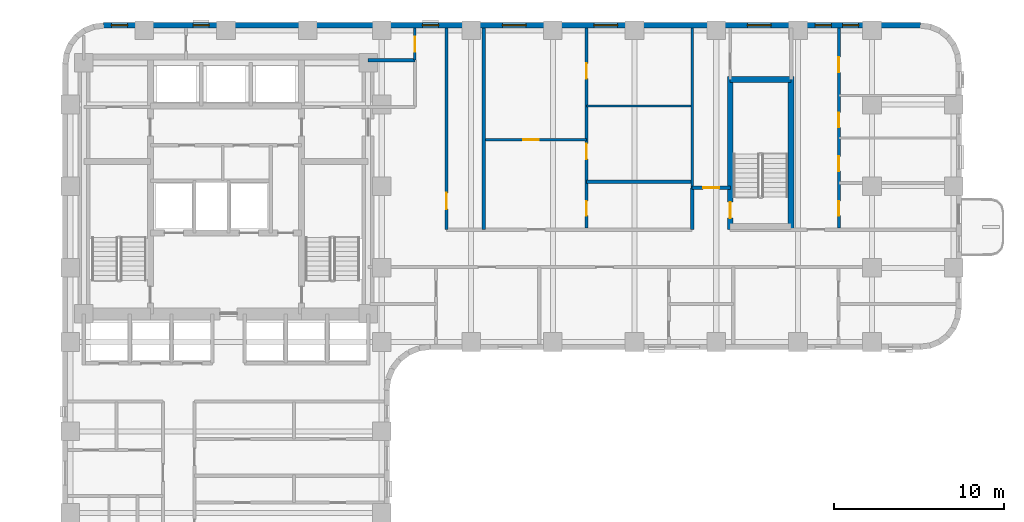
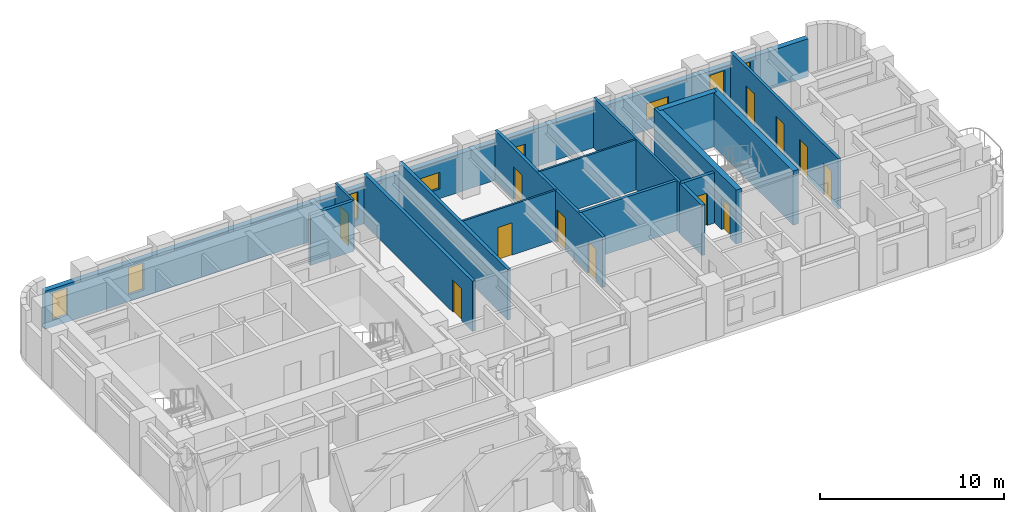
# One storey, part 7 of 12: 16 walls, 12 doors, 8 windows, 20 openings.
"""IFC4 building model written with IfcOpenShell, lengths in metres."""

import ifcopenshell
import ifcopenshell.guid

model = None  # the IFC model being written
_history = None  # IfcOwnerHistory: only IFC2X3 demands one
_inside = {}  # id of a spatial element -> (the spatial element, [elements in it])
_under = {}  # id of a project, library or spatial element -> (it, [spatial elements below it])
_declared = {}  # id of a project -> (the project, [libraries it declares])
_typed = {}  # id of a type object -> (the type object, [elements of that type])
_made_of = {}  # id of a material, layer set ... -> (it, [elements and type objects made of it])


def new_model(schema):
    """Start an empty IFC model of exactly this schema.

    Asked for "IFC4X3", IfcOpenShell would pick the latest addendum, in which some entities
    have other attributes; the version numbers below select the first issue.
    IFC2X3 requires an IfcOwnerHistory on every rooted entity: one is made here for all.
    """
    global model, _history
    if schema == "IFC4X3":
        model = ifcopenshell.file(schema_version=(4, 3, 0, 0))
    else:
        model = ifcopenshell.file(schema=schema)
    _inside.clear()
    _under.clear()
    _declared.clear()
    _typed.clear()
    _made_of.clear()
    _history = None
    if model.schema == "IFC2X3":
        org = make("IfcOrganization", Name="unknown")
        user = make(
            "IfcPersonAndOrganization",
            ThePerson=make("IfcPerson", FamilyName="unknown"),
            TheOrganization=org,
        )
        app = make(
            "IfcApplication",
            ApplicationDeveloper=org,
            Version="unknown",
            ApplicationFullName="unknown",
            ApplicationIdentifier="unknown",
        )
        _history = make(
            "IfcOwnerHistory",
            OwningUser=user,
            OwningApplication=app,
            ChangeAction="ADDED",
            CreationDate=0,
        )
    return model


def make(cls, **values):
    """One entity of the class cls with the attributes given. An attribute that is None is left unset."""
    return model.create_entity(
        cls, **{name: value for name, value in values.items() if value is not None}
    )


def rooted(cls, **values):
    """An entity with a GlobalId (a new one), such as an element, a storey or a relation."""
    return make(cls, GlobalId=ifcopenshell.guid.new(), OwnerHistory=_history, **values)


def si_unit(unit_type, name, prefix=None):
    """IfcSIUnit, for example si_unit("LENGTHUNIT", "METRE", prefix="MILLI")."""
    return make("IfcSIUnit", UnitType=unit_type, Prefix=prefix, Name=name)


def assignment(units):
    """IfcUnitAssignment: the units of a project."""
    return None if units is None else make("IfcUnitAssignment", Units=units)


def point(xyz):
    """IfcCartesianPoint."""
    return None if xyz is None else make("IfcCartesianPoint", Coordinates=xyz)


def direction(xyz):
    """IfcDirection."""
    return None if xyz is None else make("IfcDirection", DirectionRatios=xyz)


def frame(location, z_axis=None, x_axis=None):
    """IfcAxis2Placement3D, a coordinate frame: its origin and axes. An axis left out is left unset."""
    return make(
        "IfcAxis2Placement3D",
        Location=point(location),
        Axis=direction(z_axis),
        RefDirection=direction(x_axis),
    )


def frame_2d(location, x_axis=None):
    """IfcAxis2Placement2D, a coordinate frame in the plane: its origin and x axis."""
    return make(
        "IfcAxis2Placement2D", Location=point(location), RefDirection=direction(x_axis)
    )


def origin():
    """The frame at (0, 0, 0) with its axes left unset."""
    return frame((0.0, 0.0, 0.0))


def place(relative_to, where):
    """IfcLocalPlacement: puts the frame where relative to a parent placement (None: the world)."""
    return make(
        "IfcLocalPlacement", PlacementRelTo=relative_to, RelativePlacement=where
    )


def context(
    kind, dimensions, precision=None, world=None, true_north=None, identifier=None
):
    """IfcGeometricRepresentationContext, for example the 3D "Model" context."""
    return make(
        "IfcGeometricRepresentationContext",
        ContextIdentifier=identifier,
        ContextType=kind,
        CoordinateSpaceDimension=dimensions,
        Precision=precision,
        WorldCoordinateSystem=world,
        TrueNorth=true_north,
    )


def subcontext(parent, identifier, kind, view, scale=None):
    """IfcGeometricRepresentationSubContext, for example "Body" below "Model"."""
    return make(
        "IfcGeometricRepresentationSubContext",
        ContextIdentifier=identifier,
        ContextType=kind,
        ParentContext=parent,
        TargetScale=scale,
        TargetView=view,
    )


def project(units=None, contexts=None):
    """IfcProject with its units and contexts."""
    return rooted(
        "IfcProject",
        Name="project",
        RepresentationContexts=contexts,
        UnitsInContext=assignment(units),
    )


def spatial(cls, under=None, at=None, **own):
    """A site, building, storey or space (cls), placed at a placement, below another one or the project."""
    s = rooted(cls, ObjectPlacement=at, **own)
    if under is not None:
        _under.setdefault(under.id(), (under, []))[1].append(s)
    return s


def profile(cls, at=None, kind="AREA", **sizes):
    """A parametric profile (cls). Its sizes go by their IFC names, for example OverallWidth=200.0."""
    return make(cls, ProfileType=kind, Position=at, **sizes)


def rectangle(**sizes):
    """IfcRectangleProfileDef."""
    return profile("IfcRectangleProfileDef", **sizes)


def extrude(swept, where, along, depth):
    """IfcExtrudedAreaSolid: the profile swept, set in the frame where, extruded along a direction by depth."""
    return make(
        "IfcExtrudedAreaSolid",
        SweptArea=swept,
        Position=where,
        ExtrudedDirection=direction(along),
        Depth=depth,
    )


def shape(context_of_items, identifier, shape_type, items):
    """IfcShapeRepresentation: the items that make up one representation, for example the "Body"."""
    return make(
        "IfcShapeRepresentation",
        ContextOfItems=context_of_items,
        RepresentationIdentifier=identifier,
        RepresentationType=shape_type,
        Items=items,
    )


def material(Name=None, Category=None):
    """IfcMaterial."""
    return make("IfcMaterial", Name=Name, Category=Category)


def layer(
    of_material, thickness, ventilated=None, Name=None, Category=None, Priority=None
):
    """IfcMaterialLayer: one layer of a wall or slab, of a material (None: an air gap)."""
    return make(
        "IfcMaterialLayer",
        Material=of_material,
        LayerThickness=thickness,
        IsVentilated=ventilated,
        Name=Name,
        Category=Category,
        Priority=Priority,
    )


def layer_set(layers, Name=None):
    """IfcMaterialLayerSet."""
    return make("IfcMaterialLayerSet", MaterialLayers=layers, LayerSetName=Name)


def made_of(thing, what):
    """Note that an element or type object is made of a material, layer set ...; save() writes the relation."""
    if what is not None:
        _made_of.setdefault(what.id(), (what, []))[1].append(thing)
    return thing


def type_object(cls, material=None, **own):
    """A type object (cls), such as IfcWallType, which elements share."""
    return made_of(rooted(cls, **own), material)


def element(
    cls,
    number,
    at=None,
    inside=None,
    cuts=None,
    type_object=None,
    material=None,
    context=None,
    identifier="Body",
    shape_type=None,
    held_by="IfcProductDefinitionShape",
    body=None,
    shapes=None,
    **own,
):
    """One element of the class cls, such as IfcWall. Its Tag is "e" and its number.

    at: its placement. inside: the storey or other place that contains it. cuts: it is an
    opening in that element (IfcRelVoidsElement). A single representation is given by context,
    identifier, shape_type and body (its items); several are given by shapes. held_by: the class
    of the entity that holds the representations. save() writes the other relations.
    """
    e = rooted(cls, Tag="e%d" % number, ObjectPlacement=at, **own)
    if body is not None:
        shapes = [shape(context, identifier, shape_type, body)]
    if shapes is not None:
        e.Representation = make(held_by, Representations=shapes)
    if inside is not None:
        _inside.setdefault(inside.id(), (inside, []))[1].append(e)
    if cuts is not None:
        rooted(
            "IfcRelVoidsElement", RelatingBuildingElement=cuts, RelatedOpeningElement=e
        )
    if type_object is not None:
        _typed.setdefault(type_object.id(), (type_object, []))[1].append(e)
    return made_of(e, material)


def fill(opening, filler):
    """IfcRelFillsElement: the door or window that sits in an opening."""
    return rooted(
        "IfcRelFillsElement",
        RelatingOpeningElement=opening,
        RelatedBuildingElement=filler,
    )


def aggregate(whole, parts):
    """IfcRelAggregates: a whole, such as a stair, and the parts it consists of."""
    return rooted("IfcRelAggregates", RelatingObject=whole, RelatedObjects=parts)


def save(model, path):
    """Write the relations noted so far, then the file.

    IfcRelAggregates (storeys below a building ...), IfcRelContainedInSpatialStructure (elements
    in a storey), IfcRelDefinesByType, IfcRelAssociatesMaterial and IfcRelDeclares: one each for
    every whole, place, type object, material and project.
    """
    for whole, parts in _under.values():
        aggregate(whole, parts)
    for where, things in _inside.values():
        rooted(
            "IfcRelContainedInSpatialStructure",
            RelatedElements=things,
            RelatingStructure=where,
        )
    for kind, things in _typed.values():
        rooted("IfcRelDefinesByType", RelatedObjects=things, RelatingType=kind)
    for what, things in _made_of.values():
        rooted("IfcRelAssociatesMaterial", RelatedObjects=things, RelatingMaterial=what)
    for by, libraries in _declared.values():
        rooted("IfcRelDeclares", RelatingContext=by, RelatedDefinitions=libraries)
    model.write(path)


model = new_model("IFC4")

# Units and contexts
model_context = context("Model", 3, precision=1e-05, world=origin(), true_north=direction((0.0, 1.0)))
body_context = subcontext(model_context, "Body", "Model", "MODEL_VIEW")
ifc_project = project(units=[si_unit("LENGTHUNIT", "METRE"), si_unit("AREAUNIT", "SQUARE_METRE"), si_unit("VOLUMEUNIT", "CUBIC_METRE"), si_unit("PLANEANGLEUNIT", "RADIAN"), si_unit("MASSUNIT", "GRAM", prefix="KILO")], contexts=[model_context])

# Site, building, storey
site_placement = place(None, origin())
site = spatial("IfcSite", under=ifc_project, at=site_placement, CompositionType="ELEMENT")
building_placement = place(site_placement, origin())
building = spatial("IfcBuilding", under=site, at=building_placement, Name="Orvandelia Arch Residences", CompositionType="ELEMENT")
storey_placement = place(building_placement, frame((0.0, 0.0, 35.800048828125)))
storey = spatial("IfcBuildingStorey", under=building, at=storey_placement, Name="L08", CompositionType="ELEMENT", Elevation=35.800048828125)

# Wall, opening, door
ifc_material_1 = material(Name="Concrete C50/60", Category="concrete")
ifc_layer_1 = layer(ifc_material_1, 0.35009765625, Name="Concrete C50/60", Category="concrete")
ifc_layer_set_1 = layer_set([ifc_layer_1], Name="Concrete C50/60")
wall_type_1 = type_object("IfcWallType", Name="WL-CORE-350", PredefinedType="SHEAR", material=ifc_layer_set_1)
wall_1_placement = place(storey_placement, frame((44.02001953125, 35.864990234375, 0.0), z_axis=(0.0, 0.0, 1.0), x_axis=(0.0, 1.0, 0.0)))
wall_1 = element("IfcWall", 1, at=wall_1_placement, inside=storey, type_object=wall_type_1, Name="East Stair Core Shear Wall L08-W", PredefinedType="SHEAR", context=body_context, shape_type="SweptSolid", body=[
    extrude(rectangle(XDim=8.969970703125, YDim=0.35009765625, at=frame_2d((4.48486328125, 0.0))), origin(), (0.0, 0.0, 1.0), 3.599853515625),
])
opening_1_placement = place(wall_1_placement, frame((0.64990234375, 0.0, 0.0)))
opening_1 = element("IfcOpeningElement", 2, at=opening_1_placement, cuts=wall_1, Name="Opening D7", PredefinedType="OPENING", context=body_context, shape_type="SweptSolid", body=[
    extrude(rectangle(XDim=0.949951171875, YDim=2.10009765625, at=frame_2d((0.47509765625, 1.050048828125))), frame((0.0, 0.18505859375, 0.0), z_axis=(0.0, -1.0, 0.0), x_axis=(1.0, 0.0, 0.0)), (0.0, 0.0, 1.0), 0.3701171875),
])
ifc_material_2 = material(Name="Pressurised Stairwell Fire Door")
door_type_1 = type_object("IfcDoorType", Name="DR-STAIR-950", OperationType="NOTDEFINED", PredefinedType="DOOR", material=ifc_material_2)
door_1_placement = place(opening_1_placement, origin())
door_1 = element("IfcDoor", 3, at=door_1_placement, inside=storey, type_object=door_type_1, Name="East Stairwell ST-3 Fire Door L08", OperationType="SINGLE_SWING_LEFT", OverallHeight=2.10009765625, OverallWidth=0.949951171875, PredefinedType="DOOR", context=body_context, shape_type="SweptSolid", body=[
    extrude(rectangle(XDim=0.949951171875, YDim=2.10009765625, at=frame_2d((0.47509765625, 1.050048828125))), frame((0.0, 0.02490234375, 0.0), z_axis=(0.0, -1.0, 0.0), x_axis=(1.0, 0.0, 0.0)), (0.0, 0.0, 1.0), 0.050048828125),
])
fill(opening_1, door_1)

# Walls
wall_2_placement = place(storey_placement, frame((47.60009765625, 35.864990234375, 0.0), z_axis=(0.0, 0.0, 1.0), x_axis=(0.0, 1.0, 0.0)))
element("IfcWall", 4, at=wall_2_placement, inside=storey, type_object=wall_type_1, Name="East Stair Core Shear Wall L08-E", PredefinedType="SHEAR", context=body_context, shape_type="SweptSolid", body=[
    extrude(rectangle(XDim=8.969970703125, YDim=0.35009765625, at=frame_2d((4.48486328125, 0.0))), origin(), (0.0, 0.0, 1.0), 3.599853515625),
])
wall_3_placement = place(storey_placement, frame((44.02001953125, 44.659912109375, 0.0), z_axis=(0.0, 0.0, 1.0), x_axis=(1.0, 0.0, 0.0)))
element("IfcWall", 5, at=wall_3_placement, inside=storey, type_object=wall_type_1, Name="East Stair Core Shear Wall L08-N", PredefinedType="SHEAR", context=body_context, shape_type="SweptSolid", body=[
    extrude(rectangle(XDim=3.580078125, YDim=0.35009765625, at=frame_2d((1.7900390625, 0.0))), origin(), (0.0, 0.0, 1.0), 3.599853515625),
])
ifc_material_3 = material(Name="Fire-Rated Corridor Partition")
ifc_layer_2 = layer(ifc_material_3, 0.199951171875, Name="Fire-Rated Corridor Partition")
ifc_layer_set_2 = layer_set([ifc_layer_2], Name="Fire-Rated Corridor Partition")
wall_type_2 = type_object("IfcWallType", Name="WL-CORR-200", PredefinedType="PARTITIONING", material=ifc_layer_set_2)
wall_4_placement = place(storey_placement, frame((22.75, 45.800048828125, 0.0), z_axis=(0.0, 0.0, 1.0), x_axis=(1.0, 0.0, 0.0)))
element("IfcWall", 6, at=wall_4_placement, inside=storey, type_object=wall_type_2, Name="Interior Partition Wall WL-L08-NCE-S", PredefinedType="PARTITIONING", context=body_context, shape_type="SweptSolid", body=[
    extrude(rectangle(XDim=2.75, YDim=0.199951171875, at=frame_2d((1.375, 0.0))), origin(), (0.0, 0.0, 1.0), 3.349853515625),
])

# Wall, opening, door
wall_5_placement = place(storey_placement, frame((27.35009765625, 35.85009765625, 0.0), z_axis=(0.0, 0.0, 1.0), x_axis=(0.0, 1.0, 0.0)))
wall_5 = element("IfcWall", 7, at=wall_5_placement, inside=storey, type_object=wall_type_2, Name="Interior Partition Wall WL-L08-ES-NCE", PredefinedType="PARTITIONING", context=body_context, shape_type="SweptSolid", body=[
    extrude(rectangle(XDim=11.829833984375, YDim=0.199951171875, at=frame_2d((5.9150390625, 0.0))), origin(), (0.0, 0.0, 1.0), 3.349853515625),
])
opening_2_placement = place(wall_5_placement, frame((1.199951171875, 0.0, 0.0)))
opening_2 = element("IfcOpeningElement", 8, at=opening_2_placement, cuts=wall_5, Name="Opening D2", PredefinedType="OPENING", context=body_context, shape_type="SweptSolid", body=[
    extrude(rectangle(XDim=0.949951171875, YDim=2.14990234375, at=frame_2d((0.47509765625, 1.074951171875))), frame((0.0, 0.10986328125, 0.0), z_axis=(0.0, -1.0, 0.0), x_axis=(1.0, 0.0, 0.0)), (0.0, 0.0, 1.0), 0.219970703125),
])
ifc_material_4 = material(Name="Solid-Core Timber Interior Fire Door", Category="wood")
door_type_2 = type_object("IfcDoorType", Name="DR-APT-950", OperationType="NOTDEFINED", PredefinedType="DOOR", material=ifc_material_4)
door_2_placement = place(opening_2_placement, origin())
door_2 = element("IfcDoor", 9, at=door_2_placement, inside=storey, type_object=door_type_2, Name="DR-L08-ESLDY", OperationType="SINGLE_SWING_RIGHT", OverallHeight=2.14990234375, OverallWidth=0.949951171875, PredefinedType="DOOR", context=body_context, shape_type="SweptSolid", body=[
    extrude(rectangle(XDim=0.949951171875, YDim=2.14990234375, at=frame_2d((0.47509765625, 1.074951171875))), frame((0.0, 0.02490234375, 0.0), z_axis=(0.0, -1.0, 0.0), x_axis=(1.0, 0.0, 0.0)), (0.0, 0.0, 1.0), 0.050048828125),
])
fill(opening_2, door_2)

# Wall
wall_6_placement = place(storey_placement, frame((41.780029296875, 35.85009765625, 0.0), z_axis=(0.0, 0.0, 1.0), x_axis=(0.0, 1.0, 0.0)))
element("IfcWall", 10, at=wall_6_placement, inside=storey, type_object=wall_type_2, Name="Interior Partition Wall WL-L08-ES-SW", PredefinedType="PARTITIONING", context=body_context, shape_type="SweptSolid", body=[
    extrude(rectangle(XDim=2.449951171875, YDim=0.199951171875, at=frame_2d((1.22509765625, 0.0))), origin(), (0.0, 0.0, 1.0), 3.349853515625),
])

# Wall, opening, door
wall_7_placement = place(storey_placement, frame((41.780029296875, 38.300048828125, 0.0), z_axis=(0.0, 0.0, 1.0), x_axis=(1.0, 0.0, 0.0)))
wall_7 = element("IfcWall", 11, at=wall_7_placement, inside=storey, type_object=wall_type_2, Name="Interior Partition Wall WL-L08-ES-SN", PredefinedType="PARTITIONING", context=body_context, shape_type="SweptSolid", body=[
    extrude(rectangle(XDim=2.239990234375, YDim=0.199951171875, at=frame_2d((1.1201171875, 0.0))), origin(), (0.0, 0.0, 1.0), 3.349853515625),
])
opening_3_placement = place(wall_7_placement, frame((0.64990234375, 0.0, 0.0)))
opening_3 = element("IfcOpeningElement", 12, at=opening_3_placement, cuts=wall_7, Name="Opening D2", PredefinedType="OPENING", context=body_context, shape_type="SweptSolid", body=[
    extrude(rectangle(XDim=0.949951171875, YDim=2.14990234375, at=frame_2d((0.47509765625, 1.074951171875))), frame((0.0, 0.10986328125, 0.0), z_axis=(0.0, -1.0, 0.0), x_axis=(1.0, 0.0, 0.0)), (0.0, 0.0, 1.0), 0.219970703125),
])
door_3_placement = place(opening_3_placement, origin())
door_3 = element("IfcDoor", 13, at=door_3_placement, inside=storey, type_object=door_type_2, Name="DR-L08-ESSPK", OperationType="SINGLE_SWING_LEFT", OverallHeight=2.14990234375, OverallWidth=0.949951171875, PredefinedType="DOOR", context=body_context, shape_type="SweptSolid", body=[
    extrude(rectangle(XDim=0.949951171875, YDim=2.14990234375, at=frame_2d((0.47509765625, 1.074951171875))), frame((0.0, 0.02490234375, 0.0), z_axis=(0.0, -1.0, 0.0), x_axis=(1.0, 0.0, 0.0)), (0.0, 0.0, 1.0), 0.050048828125),
])
fill(opening_3, door_3)

# Wall
ifc_material_5 = material(Name="Concrete C40/50", Category="concrete")
ifc_layer_3 = layer(ifc_material_5, 0.199951171875, Name="Concrete C40/50", Category="concrete")
ifc_layer_set_3 = layer_set([ifc_layer_3], Name="Concrete C40/50")
wall_type_3 = type_object("IfcWallType", Name="WL-DEM-200", PredefinedType="SOLIDWALL", material=ifc_layer_set_3)
wall_8_placement = place(storey_placement, frame((29.550048828125, 35.85009765625, 0.0), z_axis=(0.0, 0.0, 1.0), x_axis=(0.0, 1.0, 0.0)))
element("IfcWall", 14, at=wall_8_placement, inside=storey, type_object=wall_type_3, Name="Interior Partition Wall WL-L08-ES-LDE", PredefinedType="SOLIDWALL", context=body_context, shape_type="SweptSolid", body=[
    extrude(rectangle(XDim=11.829833984375, YDim=0.199951171875, at=frame_2d((5.9150390625, 0.0))), origin(), (0.0, 0.0, 1.0), 3.349853515625),
])

# Wall, openings, windows
ifc_material_6 = material(Name="Precast concrete C40/50", Category="concrete")
ifc_layer_4 = layer(ifc_material_6, 0.320068359375, Name="Precast concrete C40/50", Category="concrete")
ifc_layer_set_4 = layer_set([ifc_layer_4], Name="Precast concrete C40/50")
wall_type_4 = type_object("IfcWallType", Name="WL-EXT-STONE-320", PredefinedType="STANDARD", material=ifc_layer_set_4)
wall_9_placement = place(storey_placement, frame((7.199951171875, 47.840087890625, 0.0), z_axis=(0.0, 0.0, 1.0), x_axis=(1.0, 0.0, 0.0)))
wall_9 = element("IfcWall", 15, at=wall_9_placement, inside=storey, type_object=wall_type_4, Name="Coral-Limestone Precast Facade Wall L08-007", PredefinedType="STANDARD", context=body_context, shape_type="SweptSolid", body=[
    extrude(rectangle(XDim=48.0, YDim=0.320068359375, at=frame_2d((24.0, 0.0))), origin(), (0.0, 0.0, 1.0), 2.530029296875),
])
opening_4_placement = place(wall_9_placement, frame((28.803466796875, 0.0, 0.64990234375)))
opening_4 = element("IfcOpeningElement", 16, at=opening_4_placement, cuts=wall_9, Name="Opening W10", PredefinedType="OPENING", context=body_context, shape_type="SweptSolid", body=[
    extrude(rectangle(XDim=1.39990234375, YDim=1.10009765625, at=frame_2d((0.699951171875, 0.550048828125))), frame((0.0, 0.169921875, 0.0), z_axis=(0.0, -1.0, 0.0), x_axis=(1.0, 0.0, 0.0)), (0.0, 0.0, 1.0), 0.340087890625),
])
opening_5_placement = place(wall_9_placement, frame((43.41357421875, 0.0, 0.449951171875)))
opening_5 = element("IfcOpeningElement", 17, at=opening_5_placement, cuts=wall_9, Name="Opening W4", PredefinedType="OPENING", context=body_context, shape_type="SweptSolid", body=[
    extrude(rectangle(XDim=0.949951171875, YDim=1.800048828125, at=frame_2d((0.47509765625, 0.89990234375))), frame((0.0, 0.169921875, 0.0), z_axis=(0.0, -1.0, 0.0), x_axis=(1.0, 0.0, 0.0)), (0.0, 0.0, 1.0), 0.340087890625),
])
opening_6_placement = place(wall_9_placement, frame((18.739990234375, 0.0, 0.449951171875)))
opening_6 = element("IfcOpeningElement", 18, at=opening_6_placement, cuts=wall_9, Name="Opening W4", PredefinedType="OPENING", context=body_context, shape_type="SweptSolid", body=[
    extrude(rectangle(XDim=0.949951171875, YDim=1.800048828125, at=frame_2d((0.47509765625, 0.89990234375))), frame((0.0, 0.169921875, 0.0), z_axis=(0.0, -1.0, 0.0), x_axis=(1.0, 0.0, 0.0)), (0.0, 0.0, 1.0), 0.340087890625),
])
opening_7_placement = place(wall_9_placement, frame((37.824951171875, 0.0, 0.64990234375)))
opening_7 = element("IfcOpeningElement", 19, at=opening_7_placement, cuts=wall_9, Name="Opening W10", PredefinedType="OPENING", context=body_context, shape_type="SweptSolid", body=[
    extrude(rectangle(XDim=1.39990234375, YDim=1.10009765625, at=frame_2d((0.699951171875, 0.550048828125))), frame((0.0, 0.169921875, 0.0), z_axis=(0.0, -1.0, 0.0), x_axis=(1.0, 0.0, 0.0)), (0.0, 0.0, 1.0), 0.340087890625),
])
opening_8_placement = place(wall_9_placement, frame((0.469970703125, 0.0, 0.449951171875)))
opening_8 = element("IfcOpeningElement", 20, at=opening_8_placement, cuts=wall_9, Name="Opening W4", PredefinedType="OPENING", context=body_context, shape_type="SweptSolid", body=[
    extrude(rectangle(XDim=0.949951171875, YDim=1.800048828125, at=frame_2d((0.47509765625, 0.89990234375))), frame((0.0, 0.169921875, 0.0), z_axis=(0.0, -1.0, 0.0), x_axis=(1.0, 0.0, 0.0)), (0.0, 0.0, 1.0), 0.340087890625),
])
opening_9_placement = place(wall_9_placement, frame((5.264892578125, 0.0, 0.449951171875)))
opening_9 = element("IfcOpeningElement", 21, at=opening_9_placement, cuts=wall_9, Name="Opening W4", PredefinedType="OPENING", context=body_context, shape_type="SweptSolid", body=[
    extrude(rectangle(XDim=0.949951171875, YDim=1.800048828125, at=frame_2d((0.47509765625, 0.89990234375))), frame((0.0, 0.169921875, 0.0), z_axis=(0.0, -1.0, 0.0), x_axis=(1.0, 0.0, 0.0)), (0.0, 0.0, 1.0), 0.340087890625),
])
opening_10_placement = place(wall_9_placement, frame((23.429931640625, 0.0, 0.64990234375)))
opening_10 = element("IfcOpeningElement", 22, at=opening_10_placement, cuts=wall_9, Name="Opening W10", PredefinedType="OPENING", context=body_context, shape_type="SweptSolid", body=[
    extrude(rectangle(XDim=1.39990234375, YDim=1.10009765625, at=frame_2d((0.699951171875, 0.550048828125))), frame((0.0, 0.169921875, 0.0), z_axis=(0.0, -1.0, 0.0), x_axis=(1.0, 0.0, 0.0)), (0.0, 0.0, 1.0), 0.340087890625),
])
opening_11_placement = place(wall_9_placement, frame((41.80859375, 0.0, 0.449951171875)))
opening_11 = element("IfcOpeningElement", 23, at=opening_11_placement, cuts=wall_9, Name="Opening W4", PredefinedType="OPENING", context=body_context, shape_type="SweptSolid", body=[
    extrude(rectangle(XDim=0.949951171875, YDim=1.800048828125, at=frame_2d((0.47509765625, 0.89990234375))), frame((0.0, 0.169921875, 0.0), z_axis=(0.0, -1.0, 0.0), x_axis=(1.0, 0.0, 0.0)), (0.0, 0.0, 1.0), 0.340087890625),
])
ifc_material_7 = material(Name="Tempered Low-E Insulated Glazing", Category="glass")
window_type_1 = type_object("IfcWindowType", Name="WIN-CLR-1400x1100", PartitioningType="SINGLE_PANEL", PredefinedType="WINDOW", material=ifc_material_7)
window_1_placement = place(opening_4_placement, origin())
window_1 = element("IfcWindow", 24, at=window_1_placement, inside=storey, type_object=window_type_1, Name="Recessed Punched Window L08-001", OverallHeight=1.10009765625, OverallWidth=1.39990234375, PartitioningType="SINGLE_PANEL", PredefinedType="WINDOW", context=body_context, shape_type="SweptSolid", body=[
    extrude(rectangle(XDim=1.39990234375, YDim=1.10009765625, at=frame_2d((0.699951171875, 0.550048828125))), frame((0.0, 0.030029296875, 0.0), z_axis=(0.0, -1.0, 0.0), x_axis=(1.0, 0.0, 0.0)), (0.0, 0.0, 1.0), 0.06005859375),
])
fill(opening_4, window_1)
window_2_placement = place(opening_7_placement, origin())
window_2 = element("IfcWindow", 25, at=window_2_placement, inside=storey, type_object=window_type_1, Name="Recessed Punched Window L08-004", OverallHeight=1.10009765625, OverallWidth=1.39990234375, PartitioningType="SINGLE_PANEL", PredefinedType="WINDOW", context=body_context, shape_type="SweptSolid", body=[
    extrude(rectangle(XDim=1.39990234375, YDim=1.10009765625, at=frame_2d((0.699951171875, 0.550048828125))), frame((0.0, 0.030029296875, 0.0), z_axis=(0.0, -1.0, 0.0), x_axis=(1.0, 0.0, 0.0)), (0.0, 0.0, 1.0), 0.06005859375),
])
fill(opening_7, window_2)
window_3_placement = place(opening_10_placement, origin())
window_3 = element("IfcWindow", 26, at=window_3_placement, inside=storey, type_object=window_type_1, Name="Recessed Punched Window L08-007", OverallHeight=1.10009765625, OverallWidth=1.39990234375, PartitioningType="SINGLE_PANEL", PredefinedType="WINDOW", context=body_context, shape_type="SweptSolid", body=[
    extrude(rectangle(XDim=1.39990234375, YDim=1.10009765625, at=frame_2d((0.699951171875, 0.550048828125))), frame((0.0, 0.030029296875, 0.0), z_axis=(0.0, -1.0, 0.0), x_axis=(1.0, 0.0, 0.0)), (0.0, 0.0, 1.0), 0.06005859375),
])
fill(opening_10, window_3)
window_type_2 = type_object("IfcWindowType", Name="WIN-RES-0950x1800", PartitioningType="SINGLE_PANEL", PredefinedType="WINDOW", material=ifc_material_7)
window_4_placement = place(opening_5_placement, origin())
window_4 = element("IfcWindow", 27, at=window_4_placement, inside=storey, type_object=window_type_2, Name="Recessed Punched Window L08-002", OverallHeight=1.800048828125, OverallWidth=0.949951171875, PartitioningType="SINGLE_PANEL", PredefinedType="WINDOW", context=body_context, shape_type="SweptSolid", body=[
    extrude(rectangle(XDim=0.949951171875, YDim=1.800048828125, at=frame_2d((0.47509765625, 0.89990234375))), frame((0.0, 0.030029296875, 0.0), z_axis=(0.0, -1.0, 0.0), x_axis=(1.0, 0.0, 0.0)), (0.0, 0.0, 1.0), 0.06005859375),
])
fill(opening_5, window_4)
window_5_placement = place(opening_6_placement, origin())
window_5 = element("IfcWindow", 28, at=window_5_placement, inside=storey, type_object=window_type_2, Name="Recessed Punched Window L08-003", OverallHeight=1.800048828125, OverallWidth=0.949951171875, PartitioningType="SINGLE_PANEL", PredefinedType="WINDOW", context=body_context, shape_type="SweptSolid", body=[
    extrude(rectangle(XDim=0.949951171875, YDim=1.800048828125, at=frame_2d((0.47509765625, 0.89990234375))), frame((0.0, 0.030029296875, 0.0), z_axis=(0.0, -1.0, 0.0), x_axis=(1.0, 0.0, 0.0)), (0.0, 0.0, 1.0), 0.06005859375),
])
fill(opening_6, window_5)
window_6_placement = place(opening_8_placement, origin())
window_6 = element("IfcWindow", 29, at=window_6_placement, inside=storey, type_object=window_type_2, Name="Recessed Punched Window L08-005", OverallHeight=1.800048828125, OverallWidth=0.949951171875, PartitioningType="SINGLE_PANEL", PredefinedType="WINDOW", context=body_context, shape_type="SweptSolid", body=[
    extrude(rectangle(XDim=0.949951171875, YDim=1.800048828125, at=frame_2d((0.47509765625, 0.89990234375))), frame((0.0, 0.030029296875, 0.0), z_axis=(0.0, -1.0, 0.0), x_axis=(1.0, 0.0, 0.0)), (0.0, 0.0, 1.0), 0.06005859375),
])
fill(opening_8, window_6)
window_7_placement = place(opening_9_placement, origin())
window_7 = element("IfcWindow", 30, at=window_7_placement, inside=storey, type_object=window_type_2, Name="Recessed Punched Window L08-006", OverallHeight=1.800048828125, OverallWidth=0.949951171875, PartitioningType="SINGLE_PANEL", PredefinedType="WINDOW", context=body_context, shape_type="SweptSolid", body=[
    extrude(rectangle(XDim=0.949951171875, YDim=1.800048828125, at=frame_2d((0.47509765625, 0.89990234375))), frame((0.0, 0.030029296875, 0.0), z_axis=(0.0, -1.0, 0.0), x_axis=(1.0, 0.0, 0.0)), (0.0, 0.0, 1.0), 0.06005859375),
])
fill(opening_9, window_7)
window_8_placement = place(opening_11_placement, origin())
window_8 = element("IfcWindow", 31, at=window_8_placement, inside=storey, type_object=window_type_2, Name="Recessed Punched Window L08-008", OverallHeight=1.800048828125, OverallWidth=0.949951171875, PartitioningType="SINGLE_PANEL", PredefinedType="WINDOW", context=body_context, shape_type="SweptSolid", body=[
    extrude(rectangle(XDim=0.949951171875, YDim=1.800048828125, at=frame_2d((0.47509765625, 0.89990234375))), frame((0.0, 0.030029296875, 0.0), z_axis=(0.0, -1.0, 0.0), x_axis=(1.0, 0.0, 0.0)), (0.0, 0.0, 1.0), 0.06005859375),
])
fill(opening_11, window_8)

# Wall, opening, door
ifc_material_8 = material(Name="Lightweight Gypsum Stud Partition")
ifc_layer_5 = layer(ifc_material_8, 0.1201171875, Name="Lightweight Gypsum Stud Partition")
ifc_layer_set_5 = layer_set([ifc_layer_5], Name="Lightweight Gypsum Stud Partition")
wall_type_5 = type_object("IfcWallType", Name="WL-PART-120", PredefinedType="PARTITIONING", material=ifc_layer_set_5)
wall_10_placement = place(storey_placement, frame((29.6298828125, 41.1259765625, 0.0), z_axis=(0.0, 0.0, 1.0), x_axis=(1.0, 0.0, 0.0)))
wall_10 = element("IfcWall", 32, at=wall_10_placement, inside=storey, type_object=wall_type_5, Name="Interior Partition Wall WL-L08-U11-DIN", PredefinedType="PARTITIONING", context=body_context, shape_type="SweptSolid", body=[
    extrude(rectangle(XDim=5.947021484375, YDim=0.1201171875, at=frame_2d((2.9736328125, 0.0))), origin(), (0.0, 0.0, 1.0), 3.349853515625),
])
opening_12_placement = place(wall_10_placement, frame((2.235107421875, 0.0, 0.0)))
opening_12 = element("IfcOpeningElement", 33, at=opening_12_placement, cuts=wall_10, Name="Opening D3", PredefinedType="OPENING", context=body_context, shape_type="SweptSolid", body=[
    extrude(rectangle(XDim=0.89990234375, YDim=2.14990234375, at=frame_2d((0.449951171875, 1.074951171875))), frame((0.0, 0.070068359375, 0.0), z_axis=(0.0, -1.0, 0.0), x_axis=(1.0, 0.0, 0.0)), (0.0, 0.0, 1.0), 0.14013671875),
])
ifc_material_9 = material(Name="Engineered Timber Flush Door", Category="wood")
door_type_3 = type_object("IfcDoorType", Name="DR-INT-900", OperationType="NOTDEFINED", PredefinedType="DOOR", material=ifc_material_9)
door_4_placement = place(opening_12_placement, origin())
door_4 = element("IfcDoor", 34, at=door_4_placement, inside=storey, type_object=door_type_3, Name="DR-L08-U11-DIN", OperationType="SINGLE_SWING_RIGHT", OverallHeight=2.14990234375, OverallWidth=0.89990234375, PredefinedType="DOOR", context=body_context, shape_type="SweptSolid", body=[
    extrude(rectangle(XDim=0.89990234375, YDim=2.14990234375, at=frame_2d((0.449951171875, 1.074951171875))), frame((0.0, 0.02490234375, 0.0), z_axis=(0.0, -1.0, 0.0), x_axis=(1.0, 0.0, 0.0)), (0.0, 0.0, 1.0), 0.050048828125),
])
fill(opening_12, door_4)

# Wall
wall_11_placement = place(storey_placement, frame((35.576904296875, 43.10693359375, 0.0), z_axis=(0.0, 0.0, 1.0), x_axis=(1.0, 0.0, 0.0)))
element("IfcWall", 35, at=wall_11_placement, inside=storey, type_object=wall_type_5, Name="Interior Partition Wall WL-L08-U11-H2", PredefinedType="PARTITIONING", context=body_context, shape_type="SweptSolid", body=[
    extrude(rectangle(XDim=6.123046875, YDim=0.1201171875, at=frame_2d((3.0615234375, 0.0))), origin(), (0.0, 0.0, 1.0), 3.349853515625),
])

# Wall, opening, door
ifc_material_10 = material(Name="Acoustic Gypsum Stud Partition")
ifc_layer_6 = layer(ifc_material_10, 0.14990234375, Name="Acoustic Gypsum Stud Partition")
ifc_layer_set_6 = layer_set([ifc_layer_6], Name="Acoustic Gypsum Stud Partition")
wall_type_6 = type_object("IfcWallType", Name="WL-PART-150", PredefinedType="PARTITIONING", material=ifc_layer_set_6)
wall_12_placement = place(storey_placement, frame((25.5, 45.800048828125, 0.0), z_axis=(0.0, 0.0, 1.0), x_axis=(0.0, 1.0, 0.0)))
wall_12 = element("IfcWall", 36, at=wall_12_placement, inside=storey, type_object=wall_type_6, Name="Interior Partition Wall WL-L08-NCE-W", PredefinedType="PARTITIONING", context=body_context, shape_type="SweptSolid", body=[
    extrude(rectangle(XDim=1.8798828125, YDim=0.14990234375, at=frame_2d((0.93994140625, 0.0))), origin(), (0.0, 0.0, 1.0), 3.349853515625),
])
opening_13_placement = place(wall_12_placement, frame((0.5, 0.0, 0.0)))
opening_13 = element("IfcOpeningElement", 37, at=opening_13_placement, cuts=wall_12, Name="Opening D5", PredefinedType="OPENING", context=body_context, shape_type="SweptSolid", body=[
    extrude(rectangle(XDim=0.8798828125, YDim=2.10009765625, at=frame_2d((0.43994140625, 1.050048828125))), frame((0.0, 0.0849609375, 0.0), z_axis=(0.0, -1.0, 0.0), x_axis=(1.0, 0.0, 0.0)), (0.0, 0.0, 1.0), 0.169921875),
])
ifc_material_11 = material(Name="Painted Galvanised Steel Service Door", Category="steel")
door_type_4 = type_object("IfcDoorType", Name="DR-SRV-880", OperationType="NOTDEFINED", PredefinedType="DOOR", material=ifc_material_11)
door_5_placement = place(opening_13_placement, origin())
door_5 = element("IfcDoor", 38, at=door_5_placement, inside=storey, type_object=door_type_4, Name="DR-L08-NCS2", OperationType="SINGLE_SWING_LEFT", OverallHeight=2.10009765625, OverallWidth=0.8798828125, PredefinedType="DOOR", context=body_context, shape_type="SweptSolid", body=[
    extrude(rectangle(XDim=0.8798828125, YDim=2.10009765625, at=frame_2d((0.43994140625, 1.050048828125))), frame((0.0, 0.02490234375, 0.0), z_axis=(0.0, -1.0, 0.0), x_axis=(1.0, 0.0, 0.0)), (0.0, 0.0, 1.0), 0.050048828125),
])
fill(opening_13, door_5)

# Wall
wall_13_placement = place(storey_placement, frame((41.780029296875, 38.300048828125, 0.0), z_axis=(0.0, 0.0, 1.0), x_axis=(0.0, 1.0, 0.0)))
element("IfcWall", 39, at=wall_13_placement, inside=storey, type_object=wall_type_6, Name="Interior Partition Wall WL-L08-ES-SPKW", PredefinedType="PARTITIONING", context=body_context, shape_type="SweptSolid", body=[
    extrude(rectangle(XDim=9.3798828125, YDim=0.14990234375, at=frame_2d((4.68994140625, 0.0))), origin(), (0.0, 0.0, 1.0), 3.349853515625),
])

# Wall, openings, doors
ifc_material_12 = material(Name="Moisture-Resistant Plumbing Wall")
ifc_layer_7 = layer(ifc_material_12, 0.179931640625, Name="Moisture-Resistant Plumbing Wall")
ifc_layer_set_7 = layer_set([ifc_layer_7], Name="Moisture-Resistant Plumbing Wall")
wall_type_7 = type_object("IfcWallType", Name="WL-WET-180", PredefinedType="PLUMBINGWALL", material=ifc_layer_set_7)
wall_14_placement = place(storey_placement, frame((35.576904296875, 35.929931640625, 0.0), z_axis=(0.0, 0.0, 1.0), x_axis=(0.0, 1.0, 0.0)))
wall_14 = element("IfcWall", 40, at=wall_14_placement, inside=storey, type_object=wall_type_7, Name="Interior Partition Wall WL-L08-U11-VT", PredefinedType="PLUMBINGWALL", context=body_context, shape_type="SweptSolid", body=[
    extrude(rectangle(XDim=11.75, YDim=0.179931640625, at=frame_2d((5.875, 0.0))), origin(), (0.0, 0.0, 1.0), 3.349853515625),
])
opening_14_placement = place(wall_14_placement, frame((0.7333984375, 0.0, 0.0)))
opening_14 = element("IfcOpeningElement", 41, at=opening_14_placement, cuts=wall_14, Name="Opening D4", PredefinedType="OPENING", context=body_context, shape_type="SweptSolid", body=[
    extrude(rectangle(XDim=0.860107421875, YDim=2.10009765625, at=frame_2d((0.43017578125, 1.050048828125))), frame((0.0, 0.10009765625, 0.0), z_axis=(0.0, -1.0, 0.0), x_axis=(1.0, 0.0, 0.0)), (0.0, 0.0, 1.0), 0.199951171875),
])
opening_15_placement = place(wall_14_placement, frame((4.063720703125, 0.0, 0.0)))
opening_15 = element("IfcOpeningElement", 42, at=opening_15_placement, cuts=wall_14, Name="Opening D3", PredefinedType="OPENING", context=body_context, shape_type="SweptSolid", body=[
    extrude(rectangle(XDim=0.89990234375, YDim=2.14990234375, at=frame_2d((0.449951171875, 1.074951171875))), frame((0.0, 0.10009765625, 0.0), z_axis=(0.0, -1.0, 0.0), x_axis=(1.0, 0.0, 0.0)), (0.0, 0.0, 1.0), 0.199951171875),
])
opening_16_placement = place(wall_14_placement, frame((8.789306640625, 0.0, 0.0)))
opening_16 = element("IfcOpeningElement", 43, at=opening_16_placement, cuts=wall_14, Name="Opening D3", PredefinedType="OPENING", context=body_context, shape_type="SweptSolid", body=[
    extrude(rectangle(XDim=0.89990234375, YDim=2.14990234375, at=frame_2d((0.449951171875, 1.074951171875))), frame((0.0, 0.10009765625, 0.0), z_axis=(0.0, -1.0, 0.0), x_axis=(1.0, 0.0, 0.0)), (0.0, 0.0, 1.0), 0.199951171875),
])
door_6_placement = place(opening_15_placement, origin())
door_6 = element("IfcDoor", 44, at=door_6_placement, inside=storey, type_object=door_type_3, Name="DR-L08-U11-KIT", OperationType="SINGLE_SWING_LEFT", OverallHeight=2.14990234375, OverallWidth=0.89990234375, PredefinedType="DOOR", context=body_context, shape_type="SweptSolid", body=[
    extrude(rectangle(XDim=0.89990234375, YDim=2.14990234375, at=frame_2d((0.449951171875, 1.074951171875))), frame((0.0, 0.02490234375, 0.0), z_axis=(0.0, -1.0, 0.0), x_axis=(1.0, 0.0, 0.0)), (0.0, 0.0, 1.0), 0.050048828125),
])
fill(opening_15, door_6)
door_7_placement = place(opening_16_placement, origin())
door_7 = element("IfcDoor", 45, at=door_7_placement, inside=storey, type_object=door_type_3, Name="DR-L08-U11-BD1", OperationType="SINGLE_SWING_RIGHT", OverallHeight=2.14990234375, OverallWidth=0.89990234375, PredefinedType="DOOR", context=body_context, shape_type="SweptSolid", body=[
    extrude(rectangle(XDim=0.89990234375, YDim=2.14990234375, at=frame_2d((0.449951171875, 1.074951171875))), frame((0.0, 0.02490234375, 0.0), z_axis=(0.0, -1.0, 0.0), x_axis=(1.0, 0.0, 0.0)), (0.0, 0.0, 1.0), 0.050048828125),
])
fill(opening_16, door_7)
ifc_material_13 = material(Name="Moisture-Sealed Timber Bathroom Door", Category="wood")
door_type_5 = type_object("IfcDoorType", Name="DR-WET-900", OperationType="NOTDEFINED", PredefinedType="DOOR", material=ifc_material_13)
door_8_placement = place(opening_14_placement, origin())
door_8 = element("IfcDoor", 46, at=door_8_placement, inside=storey, type_object=door_type_5, Name="DR-L08-U11-BTH", OperationType="SINGLE_SWING_RIGHT", OverallHeight=2.10009765625, OverallWidth=0.860107421875, PredefinedType="DOOR", context=body_context, shape_type="SweptSolid", body=[
    extrude(rectangle(XDim=0.860107421875, YDim=2.10009765625, at=frame_2d((0.43017578125, 1.050048828125))), frame((0.0, 0.02490234375, 0.0), z_axis=(0.0, -1.0, 0.0), x_axis=(1.0, 0.0, 0.0)), (0.0, 0.0, 1.0), 0.050048828125),
])
fill(opening_14, door_8)

# Wall
wall_15_placement = place(storey_placement, frame((35.576904296875, 38.659912109375, 0.0), z_axis=(0.0, 0.0, 1.0), x_axis=(1.0, 0.0, 0.0)))
element("IfcWall", 47, at=wall_15_placement, inside=storey, type_object=wall_type_7, Name="Interior Partition Wall WL-L08-U11-H1", PredefinedType="PLUMBINGWALL", context=body_context, shape_type="SweptSolid", body=[
    extrude(rectangle(XDim=6.123046875, YDim=0.179931640625, at=frame_2d((3.0615234375, 0.0))), origin(), (0.0, 0.0, 1.0), 3.349853515625),
])

# Wall, openings, doors
wall_16_placement = place(storey_placement, frame((50.39697265625, 35.949951171875, 0.0), z_axis=(0.0, 0.0, 1.0), x_axis=(0.0, 1.0, 0.0)))
wall_16 = element("IfcWall", 48, at=wall_16_placement, inside=storey, type_object=wall_type_7, Name="Interior Partition Wall WL-L08-U12-VT", PredefinedType="PLUMBINGWALL", context=body_context, shape_type="SweptSolid", body=[
    extrude(rectangle(XDim=11.72998046875, YDim=0.179931640625, at=frame_2d((5.864990234375, 0.0))), origin(), (0.0, 0.0, 1.0), 3.349853515625),
])
opening_17_placement = place(wall_16_placement, frame((0.7158203125, 0.0, 0.0)))
opening_17 = element("IfcOpeningElement", 49, at=opening_17_placement, cuts=wall_16, Name="Opening D4", PredefinedType="OPENING", context=body_context, shape_type="SweptSolid", body=[
    extrude(rectangle(XDim=0.860107421875, YDim=2.10009765625, at=frame_2d((0.43017578125, 1.050048828125))), frame((0.0, 0.10009765625, 0.0), z_axis=(0.0, -1.0, 0.0), x_axis=(1.0, 0.0, 0.0)), (0.0, 0.0, 1.0), 0.199951171875),
])
opening_18_placement = place(wall_16_placement, frame((3.3349609375, 0.0, 0.0)))
opening_18 = element("IfcOpeningElement", 50, at=opening_18_placement, cuts=wall_16, Name="Opening D4", PredefinedType="OPENING", context=body_context, shape_type="SweptSolid", body=[
    extrude(rectangle(XDim=0.860107421875, YDim=2.10009765625, at=frame_2d((0.43017578125, 1.050048828125))), frame((0.0, 0.10009765625, 0.0), z_axis=(0.0, -1.0, 0.0), x_axis=(1.0, 0.0, 0.0)), (0.0, 0.0, 1.0), 0.199951171875),
])
opening_19_placement = place(wall_16_placement, frame((5.90673828125, 0.0, 0.0)))
opening_19 = element("IfcOpeningElement", 51, at=opening_19_placement, cuts=wall_16, Name="Opening D4", PredefinedType="OPENING", context=body_context, shape_type="SweptSolid", body=[
    extrude(rectangle(XDim=0.860107421875, YDim=2.10009765625, at=frame_2d((0.43017578125, 1.050048828125))), frame((0.0, 0.10009765625, 0.0), z_axis=(0.0, -1.0, 0.0), x_axis=(1.0, 0.0, 0.0)), (0.0, 0.0, 1.0), 0.199951171875),
])
opening_20_placement = place(wall_16_placement, frame((9.12841796875, 0.0, 0.0)))
opening_20 = element("IfcOpeningElement", 52, at=opening_20_placement, cuts=wall_16, Name="Opening D3", PredefinedType="OPENING", context=body_context, shape_type="SweptSolid", body=[
    extrude(rectangle(XDim=0.89990234375, YDim=2.14990234375, at=frame_2d((0.449951171875, 1.074951171875))), frame((0.0, 0.10009765625, 0.0), z_axis=(0.0, -1.0, 0.0), x_axis=(1.0, 0.0, 0.0)), (0.0, 0.0, 1.0), 0.199951171875),
])
door_9_placement = place(opening_20_placement, origin())
door_9 = element("IfcDoor", 53, at=door_9_placement, inside=storey, type_object=door_type_3, Name="DR-L08-U12-BD1", OperationType="SINGLE_SWING_RIGHT", OverallHeight=2.14990234375, OverallWidth=0.89990234375, PredefinedType="DOOR", context=body_context, shape_type="SweptSolid", body=[
    extrude(rectangle(XDim=0.89990234375, YDim=2.14990234375, at=frame_2d((0.449951171875, 1.074951171875))), frame((0.0, 0.02490234375, 0.0), z_axis=(0.0, -1.0, 0.0), x_axis=(1.0, 0.0, 0.0)), (0.0, 0.0, 1.0), 0.050048828125),
])
fill(opening_20, door_9)
door_10_placement = place(opening_17_placement, origin())
door_10 = element("IfcDoor", 54, at=door_10_placement, inside=storey, type_object=door_type_5, Name="DR-L08-U12-BTH", OperationType="SINGLE_SWING_LEFT", OverallHeight=2.10009765625, OverallWidth=0.860107421875, PredefinedType="DOOR", context=body_context, shape_type="SweptSolid", body=[
    extrude(rectangle(XDim=0.860107421875, YDim=2.10009765625, at=frame_2d((0.43017578125, 1.050048828125))), frame((0.0, 0.02490234375, 0.0), z_axis=(0.0, -1.0, 0.0), x_axis=(1.0, 0.0, 0.0)), (0.0, 0.0, 1.0), 0.050048828125),
])
fill(opening_17, door_10)
door_11_placement = place(opening_18_placement, origin())
door_11 = element("IfcDoor", 55, at=door_11_placement, inside=storey, type_object=door_type_5, Name="DR-L08-U12-KIT", OperationType="SINGLE_SWING_RIGHT", OverallHeight=2.10009765625, OverallWidth=0.860107421875, PredefinedType="DOOR", context=body_context, shape_type="SweptSolid", body=[
    extrude(rectangle(XDim=0.860107421875, YDim=2.10009765625, at=frame_2d((0.43017578125, 1.050048828125))), frame((0.0, 0.02490234375, 0.0), z_axis=(0.0, -1.0, 0.0), x_axis=(1.0, 0.0, 0.0)), (0.0, 0.0, 1.0), 0.050048828125),
])
fill(opening_18, door_11)
door_12_placement = place(opening_19_placement, origin())
door_12 = element("IfcDoor", 56, at=door_12_placement, inside=storey, type_object=door_type_5, Name="DR-L08-U12-STDY", OperationType="SINGLE_SWING_LEFT", OverallHeight=2.10009765625, OverallWidth=0.860107421875, PredefinedType="DOOR", context=body_context, shape_type="SweptSolid", body=[
    extrude(rectangle(XDim=0.860107421875, YDim=2.10009765625, at=frame_2d((0.43017578125, 1.050048828125))), frame((0.0, 0.02490234375, 0.0), z_axis=(0.0, -1.0, 0.0), x_axis=(1.0, 0.0, 0.0)), (0.0, 0.0, 1.0), 0.050048828125),
])
fill(opening_19, door_12)

save(model, "model.ifc")
